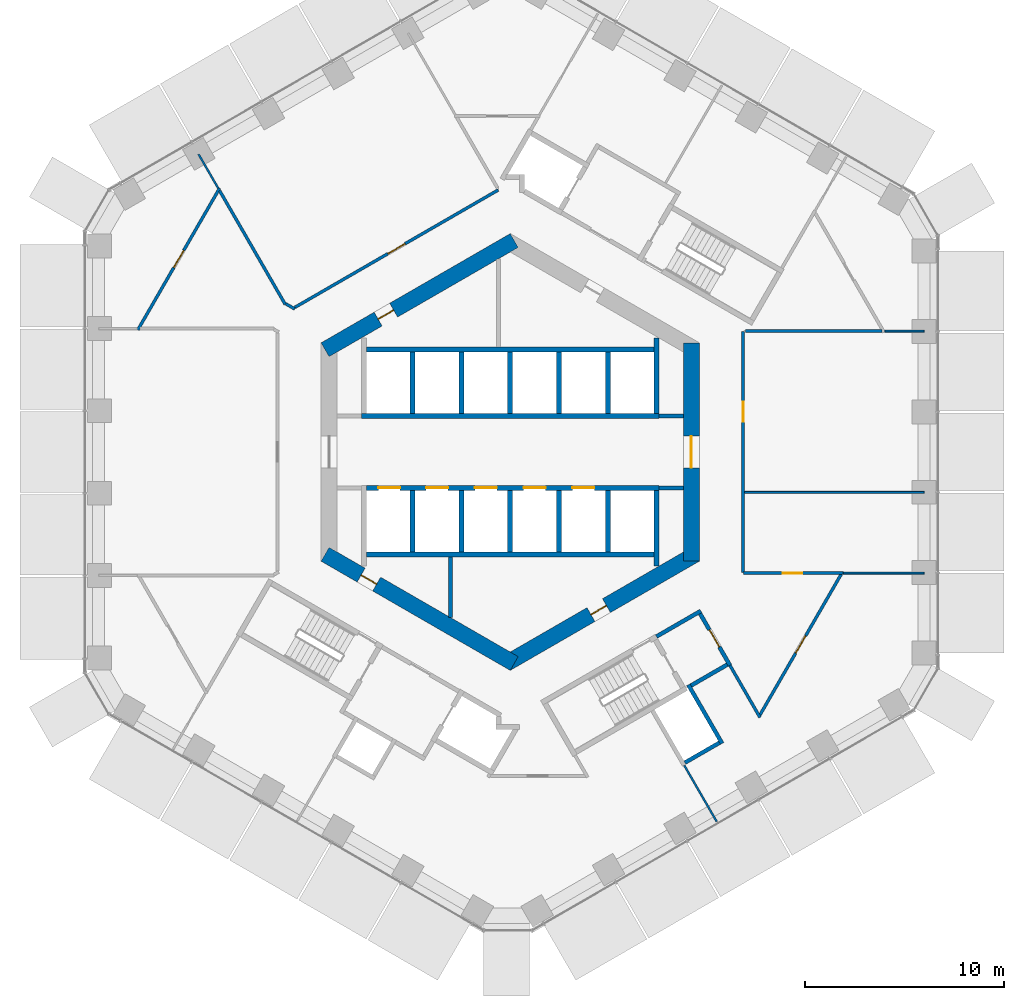
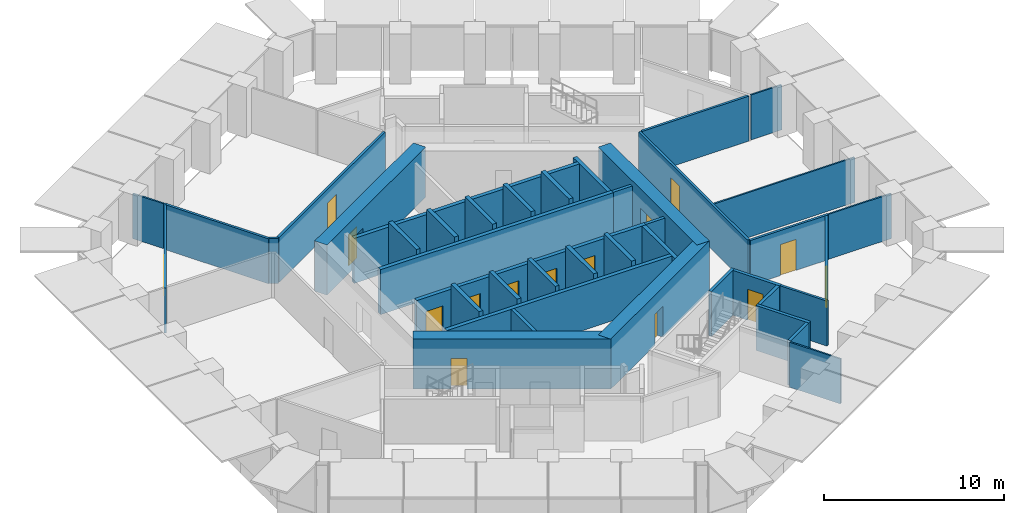
# One storey, part 13 of 19: 42 walls, 15 doors, 15 openings.
"""IFC4 building model written with IfcOpenShell, lengths in metres."""

from ifc_helpers import new_model, si_unit, direction, frame, frame_2d, origin, place, context, subcontext, project, spatial, rectangle, extrude, material, layer, layer_set, type_object, element, fill, save


model = new_model("IFC4")

# Units and contexts
model_context = context("Model", 3, precision=1e-05, world=origin(), true_north=direction((0.0, 1.0)))
body_context = subcontext(model_context, "Body", "Model", "MODEL_VIEW")
ifc_project = project(units=[si_unit("LENGTHUNIT", "METRE"), si_unit("AREAUNIT", "SQUARE_METRE"), si_unit("VOLUMEUNIT", "CUBIC_METRE"), si_unit("PLANEANGLEUNIT", "RADIAN"), si_unit("MASSUNIT", "GRAM", prefix="KILO")], contexts=[model_context])

# Site, building, storey
site_placement = place(None, origin())
site = spatial("IfcSite", under=ifc_project, at=site_placement, CompositionType="ELEMENT")
building_placement = place(site_placement, origin())
building = spatial("IfcBuilding", under=site, at=building_placement, Name="Ayvan Gate Tower", CompositionType="ELEMENT")
storey_placement = place(building_placement, frame((0.0, 0.0, 32.300048828125)))
storey = spatial("IfcBuildingStorey", under=building, at=storey_placement, Name="L07", CompositionType="ELEMENT", Elevation=32.300048828125)

# Wall, opening, door
ifc_material_1 = material(Name="Concrete C70/85", Category="concrete")
ifc_layer_1 = layer(ifc_material_1, 0.800048828125)
ifc_layer_set_1 = layer_set([ifc_layer_1], Name="Concrete C70/85")
wall_type_1 = type_object("IfcWallType", Name="Core wall 800 C70/85", PredefinedType="SHEAR", material=ifc_layer_set_1)
wall_1_placement = place(storey_placement, frame((9.10009765625, -5.48486328125, 0.0), z_axis=(0.0, 0.0, 1.0), x_axis=(0.0, 1.0, 0.0)))
wall_1 = element("IfcWall", 1, at=wall_1_placement, inside=storey, type_object=wall_type_1, Name="CORE-L07-0", PredefinedType="SHEAR", context=body_context, shape_type="SweptSolid", body=[
    extrude(rectangle(XDim=10.9697265625, YDim=0.800048828125, at=frame_2d((5.48486328125, 0.0))), origin(), (0.0, 0.0, 1.0), 3.39990234375),
])
opening_1_placement = place(wall_1_placement, frame((4.684814453125, 0.0, 0.0)))
opening_1 = element("IfcOpeningElement", 2, at=opening_1_placement, cuts=wall_1, Name="Opening L07-D34", PredefinedType="OPENING", context=body_context, shape_type="SweptSolid", body=[
    extrude(rectangle(XDim=1.60009765625, YDim=2.10009765625, at=frame_2d((0.800048828125, 1.050048828125))), frame((0.0, 0.409912109375, 0.0), z_axis=(0.0, -1.0, 0.0), x_axis=(1.0, 0.0, 0.0)), (0.0, 0.0, 1.0), 0.820068359375),
])
ifc_material_2 = material(Name="Timber door leaf", Category="wood")
door_type_1 = type_object("IfcDoorType", Name="DT-1600", OperationType="NOTDEFINED", PredefinedType="DOOR", material=ifc_material_2)
door_1_placement = place(opening_1_placement, origin())
door_1 = element("IfcDoor", 3, at=door_1_placement, inside=storey, type_object=door_type_1, Name="CD-L07-34", OperationType="SINGLE_SWING_LEFT", OverallHeight=2.10009765625, OverallWidth=1.60009765625, PredefinedType="DOOR", context=body_context, shape_type="SweptSolid", body=[
    extrude(rectangle(XDim=1.60009765625, YDim=2.10009765625, at=frame_2d((0.800048828125, 1.050048828125))), frame((0.0, 0.02490234375, 0.0), z_axis=(0.0, -1.0, 0.0), x_axis=(1.0, 0.0, 0.0)), (0.0, 0.0, 1.0), 0.050048828125),
])
fill(opening_1, door_1)

wall_2_placement = place(storey_placement, frame((0.199951171875, 10.623291015625, 0.0), z_axis=(0.0, 0.0, 1.0), x_axis=(-0.866023993627, -0.500002442456, 0.0)))
wall_2 = element("IfcWall", 4, at=wall_2_placement, inside=storey, type_object=wall_type_1, Name="CORE-L07-2", PredefinedType="SHEAR", context=body_context, shape_type="SweptSolid", body=[
    extrude(rectangle(XDim=10.9697265625, YDim=0.800048828125, at=frame_2d((5.48486328125, 0.0))), origin(), (0.0, 0.0, 1.0), 3.39990234375),
])
opening_2_placement = place(wall_2_placement, frame((6.99267578125, 0.0, 0.0)))
opening_2 = element("IfcOpeningElement", 5, at=opening_2_placement, cuts=wall_2, Name="Opening L07-D30", PredefinedType="OPENING", context=body_context, shape_type="SweptSolid", body=[
    extrude(rectangle(XDim=0.89990234375, YDim=2.10009765625, at=frame_2d((0.449951171875, 1.050048828125))), frame((0.0, 0.409912109375, 0.0), z_axis=(0.0, -1.0, 0.0), x_axis=(1.0, 0.0, 0.0)), (0.0, 0.0, 1.0), 0.820068359375),
])
door_type_2 = type_object("IfcDoorType", Name="DT-900", OperationType="NOTDEFINED", PredefinedType="DOOR", material=ifc_material_2)
door_2_placement = place(opening_2_placement, origin())
door_2 = element("IfcDoor", 6, at=door_2_placement, inside=storey, type_object=door_type_2, Name="CD-L07-30", OperationType="SINGLE_SWING_LEFT", OverallHeight=2.10009765625, OverallWidth=0.89990234375, PredefinedType="DOOR", context=body_context, shape_type="SweptSolid", body=[
    extrude(rectangle(XDim=0.89990234375, YDim=2.10009765625, at=frame_2d((0.449951171875, 1.050048828125))), frame((0.0, 0.02490234375, 0.0), z_axis=(0.0, -1.0, 0.0), x_axis=(1.0, 0.0, 0.0)), (0.0, 0.0, 1.0), 0.050048828125),
])
fill(opening_2, door_2)

wall_3_placement = place(storey_placement, frame((-9.300048828125, -5.138427734375, 0.0), z_axis=(0.0, 0.0, 1.0), x_axis=(0.866023993627, -0.500002442456, 0.0)))
wall_3 = element("IfcWall", 7, at=wall_3_placement, inside=storey, type_object=wall_type_1, Name="CORE-L07-4", PredefinedType="SHEAR", context=body_context, shape_type="SweptSolid", body=[
    extrude(rectangle(XDim=10.9697265625, YDim=0.800048828125, at=frame_2d((5.48486328125, 0.0))), origin(), (0.0, 0.0, 1.0), 3.39990234375),
])
opening_3_placement = place(wall_3_placement, frame((2.09130859375, 0.0, 0.0)))
opening_3 = element("IfcOpeningElement", 8, at=opening_3_placement, cuts=wall_3, Name="Opening L07-D32", PredefinedType="OPENING", context=body_context, shape_type="SweptSolid", body=[
    extrude(rectangle(XDim=0.89990234375, YDim=2.10009765625, at=frame_2d((0.449951171875, 1.050048828125))), frame((0.0, 0.409912109375, 0.0), z_axis=(0.0, -1.0, 0.0), x_axis=(1.0, 0.0, 0.0)), (0.0, 0.0, 1.0), 0.820068359375),
])
door_3_placement = place(opening_3_placement, origin())
door_3 = element("IfcDoor", 9, at=door_3_placement, inside=storey, type_object=door_type_2, Name="CD-L07-32", OperationType="SINGLE_SWING_LEFT", OverallHeight=2.10009765625, OverallWidth=0.89990234375, PredefinedType="DOOR", context=body_context, shape_type="SweptSolid", body=[
    extrude(rectangle(XDim=0.89990234375, YDim=2.10009765625, at=frame_2d((0.449951171875, 1.050048828125))), frame((0.0, 0.02490234375, 0.0), z_axis=(0.0, -1.0, 0.0), x_axis=(1.0, 0.0, 0.0)), (0.0, 0.0, 1.0), 0.050048828125),
])
fill(opening_3, door_3)

wall_4_placement = place(storey_placement, frame((-0.199951171875, -10.623291015625, 0.0), z_axis=(0.0, 0.0, 1.0), x_axis=(0.866023993627, 0.500002442456, 0.0)))
wall_4 = element("IfcWall", 10, at=wall_4_placement, inside=storey, type_object=wall_type_1, Name="CORE-L07-5", PredefinedType="SHEAR", context=body_context, shape_type="SweptSolid", body=[
    extrude(rectangle(XDim=10.9697265625, YDim=0.800048828125, at=frame_2d((5.48486328125, 0.0))), origin(), (0.0, 0.0, 1.0), 3.39990234375),
])
opening_4_placement = place(wall_4_placement, frame((4.914306640625, 0.0, 0.0)))
opening_4 = element("IfcOpeningElement", 11, at=opening_4_placement, cuts=wall_4, Name="Opening L07-D33", PredefinedType="OPENING", context=body_context, shape_type="SweptSolid", body=[
    extrude(rectangle(XDim=0.89990234375, YDim=2.10009765625, at=frame_2d((0.449951171875, 1.050048828125))), frame((0.0, 0.409912109375, 0.0), z_axis=(0.0, -1.0, 0.0), x_axis=(1.0, 0.0, 0.0)), (0.0, 0.0, 1.0), 0.820068359375),
])
door_4_placement = place(opening_4_placement, origin())
door_4 = element("IfcDoor", 12, at=door_4_placement, inside=storey, type_object=door_type_2, Name="CD-L07-33", OperationType="SINGLE_SWING_RIGHT", OverallHeight=2.10009765625, OverallWidth=0.89990234375, PredefinedType="DOOR", context=body_context, shape_type="SweptSolid", body=[
    extrude(rectangle(XDim=0.89990234375, YDim=2.10009765625, at=frame_2d((0.449951171875, 1.050048828125))), frame((0.0, 0.02490234375, 0.0), z_axis=(0.0, -1.0, 0.0), x_axis=(1.0, 0.0, 0.0)), (0.0, 0.0, 1.0), 0.050048828125),
])
fill(opening_4, door_4)

ifc_material_3 = material(Name="Plasterboard on steel stud", Category="steel")
ifc_layer_2 = layer(ifc_material_3, 0.14990234375)
ifc_layer_set_2 = layer_set([ifc_layer_2], Name="Plasterboard on steel stud")
wall_type_2 = type_object("IfcWallType", Name="WT-CORR-150", PredefinedType="PARTITIONING", material=ifc_layer_set_2)
wall_5_placement = place(storey_placement, frame((-18.704833984375, 6.136962890625, 0.0), z_axis=(0.0, 0.0, 1.0), x_axis=(0.499992475648, 0.866029747927, 0.0)))
wall_5 = element("IfcWall", 13, at=wall_5_placement, inside=storey, type_object=wall_type_2, Name="IW-L07-003", PredefinedType="PARTITIONING", context=body_context, shape_type="SweptSolid", body=[
    extrude(rectangle(XDim=8.218017578125, YDim=0.14990234375, at=frame_2d((4.10888671875, 0.0))), origin(), (0.0, 0.0, 1.0), 3.050048828125),
])
opening_5_placement = place(wall_5_placement, frame((3.60888671875, 0.0, 0.0)))
opening_5 = element("IfcOpeningElement", 14, at=opening_5_placement, cuts=wall_5, Name="Opening L07-D23", PredefinedType="OPENING", context=body_context, shape_type="SweptSolid", body=[
    extrude(rectangle(XDim=1.0, YDim=2.10009765625, at=frame_2d((0.5, 1.050048828125))), frame((0.0, 0.0849609375, 0.0), z_axis=(0.0, -1.0, 0.0), x_axis=(1.0, 0.0, 0.0)), (0.0, 0.0, 1.0), 0.169921875),
])
door_type_3 = type_object("IfcDoorType", Name="DT-1000", OperationType="NOTDEFINED", PredefinedType="DOOR", material=ifc_material_2)
door_5_placement = place(opening_5_placement, origin())
door_5 = element("IfcDoor", 15, at=door_5_placement, inside=storey, type_object=door_type_3, Name="ID-L07-023", OperationType="SINGLE_SWING_RIGHT", OverallHeight=2.10009765625, OverallWidth=1.0, PredefinedType="DOOR", context=body_context, shape_type="SweptSolid", body=[
    extrude(rectangle(XDim=1.0, YDim=2.10009765625, at=frame_2d((0.5, 1.050048828125))), frame((0.0, 0.02490234375, 0.0), z_axis=(0.0, -1.0, 0.0), x_axis=(1.0, 0.0, 0.0)), (0.0, 0.0, 1.0), 0.050048828125),
])
fill(opening_5, door_5)

# Walls
wall_6_placement = place(storey_placement, frame((-14.595947265625, 13.123779296875, 0.0), z_axis=(0.0, 0.0, 1.0), x_axis=(0.500007856214, -0.86602086795, 0.0)))
element("IfcWall", 16, at=wall_6_placement, inside=storey, type_object=wall_type_2, Name="IW-L07-007", PredefinedType="PARTITIONING", context=body_context, shape_type="SweptSolid", body=[
    extrude(rectangle(XDim=6.59033203125, YDim=0.14990234375, at=frame_2d((3.295166015625, 0.0))), origin(), (0.0, 0.0, 1.0), 3.050048828125),
])
wall_7_placement = place(storey_placement, frame((-11.2734375, 7.444091796875, 0.0), z_axis=(0.0, 0.0, 1.0), x_axis=(0.866146335282, -0.499790481981, 0.0)))
element("IfcWall", 17, at=wall_7_placement, inside=storey, type_object=wall_type_2, Name="IW-L07-015", PredefinedType="PARTITIONING", context=body_context, shape_type="SweptSolid", body=[
    extrude(rectangle(XDim=0.517822265625, YDim=0.14990234375, at=frame_2d((0.2587890625, 0.0))), origin(), (0.0, 0.0, 1.0), 3.050048828125),
])

# Wall, opening, door
wall_8_placement = place(storey_placement, frame((-10.824951171875, 7.26025390625, 0.0), z_axis=(0.0, 0.0, 1.0), x_axis=(0.866025463095, 0.499999897272, 0.0)))
wall_8 = element("IfcWall", 18, at=wall_8_placement, inside=storey, type_object=wall_type_2, Name="IW-L07-016", PredefinedType="PARTITIONING", context=body_context, shape_type="SweptSolid", body=[
    extrude(rectangle(XDim=11.806640625, YDim=0.14990234375, at=frame_2d((5.9033203125, 0.0))), origin(), (0.0, 0.0, 1.0), 3.050048828125),
])
opening_6_placement = place(wall_8_placement, frame((5.4033203125, 0.0, 0.0)))
opening_6 = element("IfcOpeningElement", 19, at=opening_6_placement, cuts=wall_8, Name="Opening L07-D29", PredefinedType="OPENING", context=body_context, shape_type="SweptSolid", body=[
    extrude(rectangle(XDim=1.0, YDim=2.10009765625, at=frame_2d((0.5, 1.050048828125))), frame((0.0, 0.0849609375, 0.0), z_axis=(0.0, -1.0, 0.0), x_axis=(1.0, 0.0, 0.0)), (0.0, 0.0, 1.0), 0.169921875),
])
door_6_placement = place(opening_6_placement, origin())
door_6 = element("IfcDoor", 20, at=door_6_placement, inside=storey, type_object=door_type_3, Name="ID-L07-029", OperationType="SINGLE_SWING_RIGHT", OverallHeight=2.10009765625, OverallWidth=1.0, PredefinedType="DOOR", context=body_context, shape_type="SweptSolid", body=[
    extrude(rectangle(XDim=1.0, YDim=2.10009765625, at=frame_2d((0.5, 1.050048828125))), frame((0.0, 0.02490234375, 0.0), z_axis=(0.0, -1.0, 0.0), x_axis=(1.0, 0.0, 0.0)), (0.0, 0.0, 1.0), 0.050048828125),
])
fill(opening_6, door_6)

wall_9_placement = place(storey_placement, frame((11.699951171875, -6.062255859375, 0.0), z_axis=(0.0, 0.0, 1.0), x_axis=(0.0, 1.0, 0.0)))
wall_9 = element("IfcWall", 21, at=wall_9_placement, inside=storey, type_object=wall_type_2, Name="IW-L07-092", PredefinedType="PARTITIONING", context=body_context, shape_type="SweptSolid", body=[
    extrude(rectangle(XDim=12.12451171875, YDim=0.14990234375, at=frame_2d((6.062255859375, 0.0))), origin(), (0.0, 0.0, 1.0), 3.050048828125),
])
opening_7_placement = place(wall_9_placement, frame((7.59521484375, 0.0, 0.0)))
opening_7 = element("IfcOpeningElement", 22, at=opening_7_placement, cuts=wall_9, Name="Opening L07-D18", PredefinedType="OPENING", context=body_context, shape_type="SweptSolid", body=[
    extrude(rectangle(XDim=1.0, YDim=2.10009765625, at=frame_2d((0.5, 1.050048828125))), frame((0.0, 0.0849609375, 0.0), z_axis=(0.0, -1.0, 0.0), x_axis=(1.0, 0.0, 0.0)), (0.0, 0.0, 1.0), 0.169921875),
])
door_7_placement = place(opening_7_placement, origin())
door_7 = element("IfcDoor", 23, at=door_7_placement, inside=storey, type_object=door_type_3, Name="ID-L07-018", OperationType="SINGLE_SWING_LEFT", OverallHeight=2.10009765625, OverallWidth=1.0, PredefinedType="DOOR", context=body_context, shape_type="SweptSolid", body=[
    extrude(rectangle(XDim=1.0, YDim=2.10009765625, at=frame_2d((0.5, 1.050048828125))), frame((0.0, 0.02490234375, 0.0), z_axis=(0.0, -1.0, 0.0), x_axis=(1.0, 0.0, 0.0)), (0.0, 0.0, 1.0), 0.050048828125),
])
fill(opening_7, door_7)

wall_10_placement = place(storey_placement, frame((11.728271484375, -6.07861328125, 0.0), z_axis=(0.0, 0.0, 1.0), x_axis=(1.0, 0.0, 0.0)))
wall_10 = element("IfcWall", 24, at=wall_10_placement, inside=storey, type_object=wall_type_2, Name="IW-L07-094", PredefinedType="PARTITIONING", context=body_context, shape_type="SweptSolid", body=[
    extrude(rectangle(XDim=5.0068359375, YDim=0.14990234375, at=frame_2d((2.50341796875, 0.0))), origin(), (0.0, 0.0, 1.0), 3.050048828125),
])
opening_8_placement = place(wall_10_placement, frame((1.948486328125, 0.0, 0.0)))
opening_8 = element("IfcOpeningElement", 25, at=opening_8_placement, cuts=wall_10, Name="Opening L07-D17", PredefinedType="OPENING", context=body_context, shape_type="SweptSolid", body=[
    extrude(rectangle(XDim=1.0, YDim=2.10009765625, at=frame_2d((0.5, 1.050048828125))), frame((0.0, 0.0849609375, 0.0), z_axis=(0.0, -1.0, 0.0), x_axis=(1.0, 0.0, 0.0)), (0.0, 0.0, 1.0), 0.169921875),
])
door_8_placement = place(opening_8_placement, origin())
door_8 = element("IfcDoor", 26, at=door_8_placement, inside=storey, type_object=door_type_3, Name="ID-L07-017", OperationType="SINGLE_SWING_RIGHT", OverallHeight=2.10009765625, OverallWidth=1.0, PredefinedType="DOOR", context=body_context, shape_type="SweptSolid", body=[
    extrude(rectangle(XDim=1.0, YDim=2.10009765625, at=frame_2d((0.5, 1.050048828125))), frame((0.0, 0.02490234375, 0.0), z_axis=(0.0, -1.0, 0.0), x_axis=(1.0, 0.0, 0.0)), (0.0, 0.0, 1.0), 0.050048828125),
])
fill(opening_8, door_8)

# Wall
wall_11_placement = place(storey_placement, frame((12.547119140625, -13.332275390625, 0.0), z_axis=(0.0, 0.0, 1.0), x_axis=(-0.499965068118, 0.866045570776, 0.0)))
element("IfcWall", 27, at=wall_11_placement, inside=storey, type_object=wall_type_2, Name="IW-L07-096", PredefinedType="PARTITIONING", context=body_context, shape_type="SweptSolid", body=[
    extrude(rectangle(XDim=3.019775390625, YDim=0.14990234375, at=frame_2d((1.509765625, 0.0))), origin(), (0.0, 0.0, 1.0), 3.050048828125),
])

# Wall, opening, door
wall_12_placement = place(storey_placement, frame((16.62255859375, -6.1435546875, 0.0), z_axis=(0.0, 0.0, 1.0), x_axis=(-0.500001609966, -0.866024474268, 0.0)))
wall_12 = element("IfcWall", 28, at=wall_12_placement, inside=storey, type_object=wall_type_2, Name="IW-L07-101", PredefinedType="PARTITIONING", context=body_context, shape_type="SweptSolid", body=[
    extrude(rectangle(XDim=8.15087890625, YDim=0.14990234375, at=frame_2d((4.075439453125, 0.0))), origin(), (0.0, 0.0, 1.0), 3.050048828125),
])
opening_9_placement = place(wall_12_placement, frame((3.575439453125, 0.0, 0.0)))
opening_9 = element("IfcOpeningElement", 29, at=opening_9_placement, cuts=wall_12, Name="Opening L07-D28", PredefinedType="OPENING", context=body_context, shape_type="SweptSolid", body=[
    extrude(rectangle(XDim=1.0, YDim=2.10009765625, at=frame_2d((0.5, 1.050048828125))), frame((0.0, 0.0849609375, 0.0), z_axis=(0.0, -1.0, 0.0), x_axis=(1.0, 0.0, 0.0)), (0.0, 0.0, 1.0), 0.169921875),
])
door_9_placement = place(opening_9_placement, origin())
door_9 = element("IfcDoor", 30, at=door_9_placement, inside=storey, type_object=door_type_3, Name="ID-L07-028", OperationType="SINGLE_SWING_LEFT", OverallHeight=2.10009765625, OverallWidth=1.0, PredefinedType="DOOR", context=body_context, shape_type="SweptSolid", body=[
    extrude(rectangle(XDim=1.0, YDim=2.10009765625, at=frame_2d((0.5, 1.050048828125))), frame((0.0, 0.02490234375, 0.0), z_axis=(0.0, -1.0, 0.0), x_axis=(1.0, 0.0, 0.0)), (0.0, 0.0, 1.0), 0.050048828125),
])
fill(opening_9, door_9)

# Walls
wall_13_placement = place(storey_placement, frame((18.66357421875, 6.07861328125, 0.0), z_axis=(0.0, 0.0, 1.0), x_axis=(-1.0, 0.0, 0.0)))
element("IfcWall", 31, at=wall_13_placement, inside=storey, type_object=wall_type_2, Name="IW-L07-103", PredefinedType="PARTITIONING", context=body_context, shape_type="SweptSolid", body=[
    extrude(rectangle(XDim=6.84033203125, YDim=0.14990234375, at=frame_2d((3.420166015625, 0.0))), origin(), (0.0, 0.0, 1.0), 3.050048828125),
])
ifc_layer_3 = layer(ifc_material_3, 0.10009765625)
ifc_layer_set_3 = layer_set([ifc_layer_3], Name="Plasterboard on steel stud")
wall_type_3 = type_object("IfcWallType", Name="WT-PART-100", PredefinedType="PARTITIONING", material=ifc_layer_set_3)
wall_14_placement = place(storey_placement, frame((-15.656494140625, 14.960693359375, 0.0), z_axis=(0.0, 0.0, 1.0), x_axis=(0.500069143596, -0.86598548003, 0.0)))
element("IfcWall", 32, at=wall_14_placement, inside=storey, type_object=wall_type_3, Name="IW-L07-004", PredefinedType="PARTITIONING", context=body_context, shape_type="SweptSolid", body=[
    extrude(rectangle(XDim=1.970947265625, YDim=0.10009765625, at=frame_2d((0.9853515625, 0.0))), origin(), (0.0, 0.0, 1.0), 3.050048828125),
])
wall_15_placement = place(storey_placement, frame((8.739990234375, -15.73828125, 0.0), z_axis=(0.0, 0.0, 1.0), x_axis=(0.499994537821, -0.866028557352, 0.0)))
element("IfcWall", 33, at=wall_15_placement, inside=storey, type_object=wall_type_3, Name="IW-L07-084", PredefinedType="PARTITIONING", context=body_context, shape_type="SweptSolid", body=[
    extrude(rectangle(XDim=3.26220703125, YDim=0.10009765625, at=frame_2d((1.631103515625, 0.0))), origin(), (0.0, 0.0, 1.0), 3.050048828125),
])
wall_16_placement = place(storey_placement, frame((11.77490234375, -2.026123046875, 0.0), z_axis=(0.0, 0.0, 1.0), x_axis=(1.0, 0.0, 0.0)))
element("IfcWall", 34, at=wall_16_placement, inside=storey, type_object=wall_type_3, Name="IW-L07-093", PredefinedType="PARTITIONING", context=body_context, shape_type="SweptSolid", body=[
    extrude(rectangle(XDim=9.009765625, YDim=0.10009765625, at=frame_2d((4.5048828125, 0.0))), origin(), (0.0, 0.0, 1.0), 3.050048828125),
])
wall_17_placement = place(storey_placement, frame((18.8134765625, 6.07861328125, 0.0), z_axis=(0.0, 0.0, 1.0), x_axis=(1.0, 0.0, 0.0)))
element("IfcWall", 35, at=wall_17_placement, inside=storey, type_object=wall_type_3, Name="IW-L07-102", PredefinedType="PARTITIONING", context=body_context, shape_type="SweptSolid", body=[
    extrude(rectangle(XDim=1.97119140625, YDim=0.10009765625, at=frame_2d((0.985595703125, 0.0))), origin(), (0.0, 0.0, 1.0), 3.050048828125),
])
wall_18_placement = place(storey_placement, frame((20.78466796875, -6.07861328125, 0.0), z_axis=(0.0, 0.0, 1.0), x_axis=(-1.0, 0.0, 0.0)))
element("IfcWall", 36, at=wall_18_placement, inside=storey, type_object=wall_type_3, Name="IW-L07-104", PredefinedType="PARTITIONING", context=body_context, shape_type="SweptSolid", body=[
    extrude(rectangle(XDim=4.049560546875, YDim=0.10009765625, at=frame_2d((2.02490234375, 0.0))), origin(), (0.0, 0.0, 1.0), 3.050048828125),
])
ifc_layer_4 = layer(ifc_material_3, 0.199951171875)
ifc_layer_set_4 = layer_set([ifc_layer_4], Name="Plasterboard on steel stud")
wall_type_4 = type_object("IfcWallType", Name="WT-PLUMB-200", PredefinedType="PLUMBINGWALL", material=ifc_layer_set_4)
wall_19_placement = place(storey_placement, frame((8.9453125, -11.694091796875, 0.0), z_axis=(0.0, 0.0, 1.0), x_axis=(0.500062241894, -0.865989465428, 0.0)))
element("IfcWall", 37, at=wall_19_placement, inside=storey, type_object=wall_type_4, Name="IW-L07-087", PredefinedType="PLUMBINGWALL", context=body_context, shape_type="SweptSolid", body=[
    extrude(rectangle(XDim=3.39990234375, YDim=0.199951171875, at=frame_2d((1.699951171875, 0.0))), origin(), (0.0, 0.0, 1.0), 3.050048828125),
])
wall_20_placement = place(storey_placement, frame((10.5087890625, -14.601806640625, 0.0), z_axis=(0.0, 0.0, 1.0), x_axis=(-0.866010750942, -0.50002537861, 0.0)))
element("IfcWall", 38, at=wall_20_placement, inside=storey, type_object=wall_type_4, Name="IW-L07-090", PredefinedType="PLUMBINGWALL", context=body_context, shape_type="SweptSolid", body=[
    extrude(rectangle(XDim=2.0, YDim=0.199951171875, at=frame_2d((1.0, 0.0))), origin(), (0.0, 0.0, 1.0), 3.050048828125),
])
ifc_layer_5 = layer(ifc_material_3, 0.199951171875)
ifc_layer_set_5 = layer_set([ifc_layer_5], Name="Plasterboard on steel stud")
wall_type_5 = type_object("IfcWallType", Name="WT-RATED-200", PredefinedType="PARTITIONING", material=ifc_layer_set_5)
wall_21_placement = place(storey_placement, frame((-3.0, -5.27490234375, 0.0), z_axis=(0.0, 0.0, 1.0), x_axis=(0.0, -1.0, 0.0)))
element("IfcWall", 39, at=wall_21_placement, inside=storey, type_object=wall_type_5, Name="IW-L07-039", PredefinedType="PARTITIONING", context=body_context, shape_type="SweptSolid", body=[
    extrude(rectangle(XDim=3.038818359375, YDim=0.199951171875, at=frame_2d((1.51953125, 0.0))), origin(), (0.0, 0.0, 1.0), 3.050048828125),
])
wall_22_placement = place(storey_placement, frame((7.343994140625, -9.27001953125, 0.0), z_axis=(0.0, 0.0, 1.0), x_axis=(0.866005588531, 0.500034319456, 0.0)))
element("IfcWall", 40, at=wall_22_placement, inside=storey, type_object=wall_type_5, Name="IW-L07-077", PredefinedType="PARTITIONING", context=body_context, shape_type="SweptSolid", body=[
    extrude(rectangle(XDim=2.574951171875, YDim=0.199951171875, at=frame_2d((1.28759765625, 0.0))), origin(), (0.0, 0.0, 1.0), 3.050048828125),
])
for number, where, z_axis, x_axis, name in (
    (41, (7.474853515625, 1.800048828125, 0.0), (0.0, 0.0, 1.0), (1.0, 0.0, 0.0), "IW-L07-078"),
    (42, (8.699951171875, -1.800048828125, 0.0), (0.0, 0.0, 1.0), (-1.0, 0.0, 0.0), "IW-L07-086"),
):
    element("IfcWall", number, at=place(storey_placement, frame(where, z_axis=z_axis, x_axis=x_axis)), inside=storey, type_object=wall_type_5, Name=name, PredefinedType="PARTITIONING", context=body_context, shape_type="SweptSolid", body=[
        extrude(rectangle(XDim=1.22509765625, YDim=0.199951171875, at=frame_2d((0.612548828125, 0.0))), origin(), (0.0, 0.0, 1.0), 3.050048828125),
    ])

# Wall, opening, door
wall_23_placement = place(storey_placement, frame((9.537353515625, -8.119140625, 0.0), z_axis=(0.0, 0.0, 1.0), x_axis=(0.499990139034, -0.866031096941, 0.0)))
wall_23 = element("IfcWall", 43, at=wall_23_placement, inside=storey, type_object=wall_type_5, Name="IW-L07-089", PredefinedType="PARTITIONING", context=body_context, shape_type="SweptSolid", body=[
    extrude(rectangle(XDim=3.0, YDim=0.199951171875, at=frame_2d((1.5, 0.0))), origin(), (0.0, 0.0, 1.0), 3.050048828125),
])
opening_10_placement = place(wall_23_placement, frame((0.93505859375, 0.0, 0.0)))
opening_10 = element("IfcOpeningElement", 44, at=opening_10_placement, cuts=wall_23, Name="Opening L07-D15", PredefinedType="OPENING", context=body_context, shape_type="SweptSolid", body=[
    extrude(rectangle(XDim=1.0, YDim=2.10009765625, at=frame_2d((0.5, 1.050048828125))), frame((0.0, 0.10986328125, 0.0), z_axis=(0.0, -1.0, 0.0), x_axis=(1.0, 0.0, 0.0)), (0.0, 0.0, 1.0), 0.219970703125),
])
door_10_placement = place(opening_10_placement, origin())
door_10 = element("IfcDoor", 45, at=door_10_placement, inside=storey, type_object=door_type_3, Name="ID-L07-015", OperationType="SINGLE_SWING_RIGHT", OverallHeight=2.10009765625, OverallWidth=1.0, PredefinedType="DOOR", context=body_context, shape_type="SweptSolid", body=[
    extrude(rectangle(XDim=1.0, YDim=2.10009765625, at=frame_2d((0.5, 1.050048828125))), frame((0.0, 0.02490234375, 0.0), z_axis=(0.0, -1.0, 0.0), x_axis=(1.0, 0.0, 0.0)), (0.0, 0.0, 1.0), 0.050048828125),
])
fill(opening_10, door_10)

# Walls
wall_24_placement = place(storey_placement, frame((10.900634765625, -10.6806640625, 0.0), z_axis=(0.0, 0.0, 1.0), x_axis=(-0.866009402589, -0.500027713859, 0.0)))
element("IfcWall", 46, at=wall_24_placement, inside=storey, type_object=wall_type_5, Name="IW-L07-091", PredefinedType="PARTITIONING", context=body_context, shape_type="SweptSolid", body=[
    extrude(rectangle(XDim=2.10009765625, YDim=0.199951171875, at=frame_2d((1.050048828125, 0.0))), origin(), (0.0, 0.0, 1.0), 3.050048828125),
])
ifc_material_4 = material(Name="Concrete C50/60", Category="concrete")
ifc_layer_6 = layer(ifc_material_4, 0.25)
ifc_layer_set_6 = layer_set([ifc_layer_6], Name="Concrete C50/60")
wall_type_6 = type_object("IfcWallType", Name="WT-RC-250", PredefinedType="SHEAR", material=ifc_layer_set_6)
wall_25_placement = place(storey_placement, frame((-7.47509765625, 1.800048828125, 0.0), z_axis=(0.0, 0.0, 1.0), x_axis=(1.0, 0.0, 0.0)))
element("IfcWall", 47, at=wall_25_placement, inside=storey, type_object=wall_type_6, Name="IW-L07-023", PredefinedType="SHEAR", context=body_context, shape_type="SweptSolid", body=[
    extrude(rectangle(XDim=14.9501953125, YDim=0.25, at=frame_2d((7.47509765625, 0.0))), origin(), (0.0, 0.0, 1.0), 3.050048828125),
])
for number, where, z_axis, x_axis, name in (
    (48, (-7.22509765625, 5.14990234375, 0.0), (0.0, 0.0, 1.0), (1.0, 0.0, 0.0), "IW-L07-026"),
    (49, (-7.22509765625, -5.14990234375, 0.0), (0.0, 0.0, 1.0), (1.0, 0.0, 0.0), "IW-L07-033"),
):
    element("IfcWall", number, at=place(storey_placement, frame(where, z_axis=z_axis, x_axis=x_axis)), inside=storey, type_object=wall_type_6, Name=name, PredefinedType="SHEAR", context=body_context, shape_type="SweptSolid", body=[
        extrude(rectangle(XDim=14.7001953125, YDim=0.25, at=frame_2d((7.35009765625, 0.0))), origin(), (0.0, 0.0, 1.0), 3.050048828125),
    ])
for number, where, z_axis, x_axis, name in (
    (50, (-4.89990234375, -1.925048828125, 0.0), (0.0, 0.0, 1.0), (0.0, -1.0, 0.0), "IW-L07-034"),
    (51, (-4.89990234375, 5.02490234375, 0.0), (0.0, 0.0, 1.0), (0.0, -1.0, 0.0), "IW-L07-035"),
):
    element("IfcWall", number, at=place(storey_placement, frame(where, z_axis=z_axis, x_axis=x_axis)), inside=storey, type_object=wall_type_6, Name=name, PredefinedType="SHEAR", context=body_context, shape_type="SweptSolid", body=[
        extrude(rectangle(XDim=3.099853515625, YDim=0.25, at=frame_2d((1.5498046875, 0.0))), origin(), (0.0, 0.0, 1.0), 3.39990234375),
    ])

# Wall, openings, doors
wall_26_placement = place(storey_placement, frame((-7.22509765625, -1.800048828125, 0.0), z_axis=(0.0, 0.0, 1.0), x_axis=(1.0, 0.0, 0.0)))
wall_26 = element("IfcWall", 52, at=wall_26_placement, inside=storey, type_object=wall_type_6, Name="IW-L07-036", PredefinedType="SHEAR", context=body_context, shape_type="SweptSolid", body=[
    extrude(rectangle(XDim=14.7001953125, YDim=0.25, at=frame_2d((7.35009765625, 0.0))), origin(), (0.0, 0.0, 1.0), 3.050048828125),
])
opening_11_placement = place(wall_26_placement, frame((0.597412109375, 0.0, 0.0)))
opening_11 = element("IfcOpeningElement", 53, at=opening_11_placement, cuts=wall_26, Name="Opening L07-LD-LR1", PredefinedType="OPENING", context=body_context, shape_type="SweptSolid", body=[
    extrude(rectangle(XDim=1.10009765625, YDim=2.10009765625, at=frame_2d((0.550048828125, 1.050048828125))), frame((0.0, 0.135009765625, 0.0), z_axis=(0.0, -1.0, 0.0), x_axis=(1.0, 0.0, 0.0)), (0.0, 0.0, 1.0), 0.27001953125),
])
opening_12_placement = place(wall_26_placement, frame((3.0, 0.0, 0.0)))
opening_12 = element("IfcOpeningElement", 54, at=opening_12_placement, cuts=wall_26, Name="Opening L07-LD-LR2", PredefinedType="OPENING", context=body_context, shape_type="SweptSolid", body=[
    extrude(rectangle(XDim=1.10009765625, YDim=2.10009765625, at=frame_2d((0.550048828125, 1.050048828125))), frame((0.0, 0.135009765625, 0.0), z_axis=(0.0, -1.0, 0.0), x_axis=(1.0, 0.0, 0.0)), (0.0, 0.0, 1.0), 0.27001953125),
])
opening_13_placement = place(wall_26_placement, frame((5.4501953125, 0.0, 0.0)))
opening_13 = element("IfcOpeningElement", 55, at=opening_13_placement, cuts=wall_26, Name="Opening L07-LD-LR3", PredefinedType="OPENING", context=body_context, shape_type="SweptSolid", body=[
    extrude(rectangle(XDim=1.10009765625, YDim=2.10009765625, at=frame_2d((0.550048828125, 1.050048828125))), frame((0.0, 0.135009765625, 0.0), z_axis=(0.0, -1.0, 0.0), x_axis=(1.0, 0.0, 0.0)), (0.0, 0.0, 1.0), 0.27001953125),
])
opening_14_placement = place(wall_26_placement, frame((7.900146484375, 0.0, 0.0)))
opening_14 = element("IfcOpeningElement", 56, at=opening_14_placement, cuts=wall_26, Name="Opening L07-LD-LR4", PredefinedType="OPENING", context=body_context, shape_type="SweptSolid", body=[
    extrude(rectangle(XDim=1.10009765625, YDim=2.10009765625, at=frame_2d((0.550048828125, 1.050048828125))), frame((0.0, 0.135009765625, 0.0), z_axis=(0.0, -1.0, 0.0), x_axis=(1.0, 0.0, 0.0)), (0.0, 0.0, 1.0), 0.27001953125),
])
opening_15_placement = place(wall_26_placement, frame((10.35009765625, 0.0, 0.0)))
opening_15 = element("IfcOpeningElement", 57, at=opening_15_placement, cuts=wall_26, Name="Opening L07-LD-SV", PredefinedType="OPENING", context=body_context, shape_type="SweptSolid", body=[
    extrude(rectangle(XDim=1.10009765625, YDim=2.10009765625, at=frame_2d((0.550048828125, 1.050048828125))), frame((0.0, 0.135009765625, 0.0), z_axis=(0.0, -1.0, 0.0), x_axis=(1.0, 0.0, 0.0)), (0.0, 0.0, 1.0), 0.27001953125),
])
ifc_material_5 = material(Name="Stainless steel landing door", Category="steel")
door_type_4 = type_object("IfcDoorType", Name="DT-LANDING-1100", OperationType="SLIDING_TO_LEFT", PredefinedType="DOOR", material=ifc_material_5)
door_11_placement = place(opening_11_placement, origin())
door_11 = element("IfcDoor", 58, at=door_11_placement, inside=storey, type_object=door_type_4, Name="ID-L07-001", OperationType="SLIDING_TO_LEFT", OverallHeight=2.10009765625, OverallWidth=1.10009765625, PredefinedType="DOOR", context=body_context, shape_type="SweptSolid", body=[
    extrude(rectangle(XDim=1.10009765625, YDim=2.10009765625, at=frame_2d((0.550048828125, 1.050048828125))), frame((0.0, 0.02490234375, 0.0), z_axis=(0.0, -1.0, 0.0), x_axis=(1.0, 0.0, 0.0)), (0.0, 0.0, 1.0), 0.050048828125),
])
fill(opening_11, door_11)
door_12_placement = place(opening_12_placement, origin())
door_12 = element("IfcDoor", 59, at=door_12_placement, inside=storey, type_object=door_type_4, Name="ID-L07-002", OperationType="SLIDING_TO_LEFT", OverallHeight=2.10009765625, OverallWidth=1.10009765625, PredefinedType="DOOR", context=body_context, shape_type="SweptSolid", body=[
    extrude(rectangle(XDim=1.10009765625, YDim=2.10009765625, at=frame_2d((0.550048828125, 1.050048828125))), frame((0.0, 0.02490234375, 0.0), z_axis=(0.0, -1.0, 0.0), x_axis=(1.0, 0.0, 0.0)), (0.0, 0.0, 1.0), 0.050048828125),
])
fill(opening_12, door_12)
door_13_placement = place(opening_13_placement, origin())
door_13 = element("IfcDoor", 60, at=door_13_placement, inside=storey, type_object=door_type_4, Name="ID-L07-003", OperationType="SLIDING_TO_LEFT", OverallHeight=2.10009765625, OverallWidth=1.10009765625, PredefinedType="DOOR", context=body_context, shape_type="SweptSolid", body=[
    extrude(rectangle(XDim=1.10009765625, YDim=2.10009765625, at=frame_2d((0.550048828125, 1.050048828125))), frame((0.0, 0.02490234375, 0.0), z_axis=(0.0, -1.0, 0.0), x_axis=(1.0, 0.0, 0.0)), (0.0, 0.0, 1.0), 0.050048828125),
])
fill(opening_13, door_13)
door_14_placement = place(opening_14_placement, origin())
door_14 = element("IfcDoor", 61, at=door_14_placement, inside=storey, type_object=door_type_4, Name="ID-L07-004", OperationType="SLIDING_TO_LEFT", OverallHeight=2.10009765625, OverallWidth=1.10009765625, PredefinedType="DOOR", context=body_context, shape_type="SweptSolid", body=[
    extrude(rectangle(XDim=1.10009765625, YDim=2.10009765625, at=frame_2d((0.550048828125, 1.050048828125))), frame((0.0, 0.02490234375, 0.0), z_axis=(0.0, -1.0, 0.0), x_axis=(1.0, 0.0, 0.0)), (0.0, 0.0, 1.0), 0.050048828125),
])
fill(opening_14, door_14)
door_15_placement = place(opening_15_placement, origin())
door_15 = element("IfcDoor", 62, at=door_15_placement, inside=storey, type_object=door_type_4, Name="ID-L07-005", OperationType="SLIDING_TO_LEFT", OverallHeight=2.10009765625, OverallWidth=1.10009765625, PredefinedType="DOOR", context=body_context, shape_type="SweptSolid", body=[
    extrude(rectangle(XDim=1.10009765625, YDim=2.10009765625, at=frame_2d((0.550048828125, 1.050048828125))), frame((0.0, 0.02490234375, 0.0), z_axis=(0.0, -1.0, 0.0), x_axis=(1.0, 0.0, 0.0)), (0.0, 0.0, 1.0), 0.050048828125),
])
fill(opening_15, door_15)

# Walls
for number, where, z_axis, x_axis, name in (
    (63, (-2.449951171875, -1.925048828125, 0.0), (0.0, 0.0, 1.0), (0.0, -1.0, 0.0), "IW-L07-044"),
    (64, (-2.449951171875, 5.02490234375, 0.0), (0.0, 0.0, 1.0), (0.0, -1.0, 0.0), "IW-L07-045"),
    (65, (0.0, -1.925048828125, 0.0), (0.0, 0.0, 1.0), (0.0, -1.0, 0.0), "IW-L07-053"),
    (66, (0.0, 5.02490234375, 0.0), (0.0, 0.0, 1.0), (0.0, -1.0, 0.0), "IW-L07-054"),
    (67, (2.449951171875, -1.925048828125, 0.0), (0.0, 0.0, 1.0), (0.0, -1.0, 0.0), "IW-L07-061"),
    (68, (2.449951171875, 5.02490234375, 0.0), (0.0, 0.0, 1.0), (0.0, -1.0, 0.0), "IW-L07-062"),
    (69, (4.89990234375, -1.925048828125, 0.0), (0.0, 0.0, 1.0), (0.0, -1.0, 0.0), "IW-L07-071"),
    (70, (4.89990234375, 5.02490234375, 0.0), (0.0, 0.0, 1.0), (0.0, -1.0, 0.0), "IW-L07-072"),
):
    element("IfcWall", number, at=place(storey_placement, frame(where, z_axis=z_axis, x_axis=x_axis)), inside=storey, type_object=wall_type_6, Name=name, PredefinedType="SHEAR", context=body_context, shape_type="SweptSolid", body=[
        extrude(rectangle(XDim=3.099853515625, YDim=0.25, at=frame_2d((1.5498046875, 0.0))), origin(), (0.0, 0.0, 1.0), 3.39990234375),
    ])
for number, where, z_axis, x_axis, name in (
    (71, (7.35009765625, -1.925048828125, 0.0), (0.0, 0.0, 1.0), (0.0, -1.0, 0.0), "IW-L07-079"),
    (72, (7.35009765625, 5.730224609375, 0.0), (0.0, 0.0, 1.0), (0.0, -1.0, 0.0), "IW-L07-080"),
):
    element("IfcWall", number, at=place(storey_placement, frame(where, z_axis=z_axis, x_axis=x_axis)), inside=storey, type_object=wall_type_6, Name=name, PredefinedType="SHEAR", context=body_context, shape_type="SweptSolid", body=[
        extrude(rectangle(XDim=3.80517578125, YDim=0.25, at=frame_2d((1.902587890625, 0.0))), origin(), (0.0, 0.0, 1.0), 3.050048828125),
    ])

save(model, "model.ifc")
